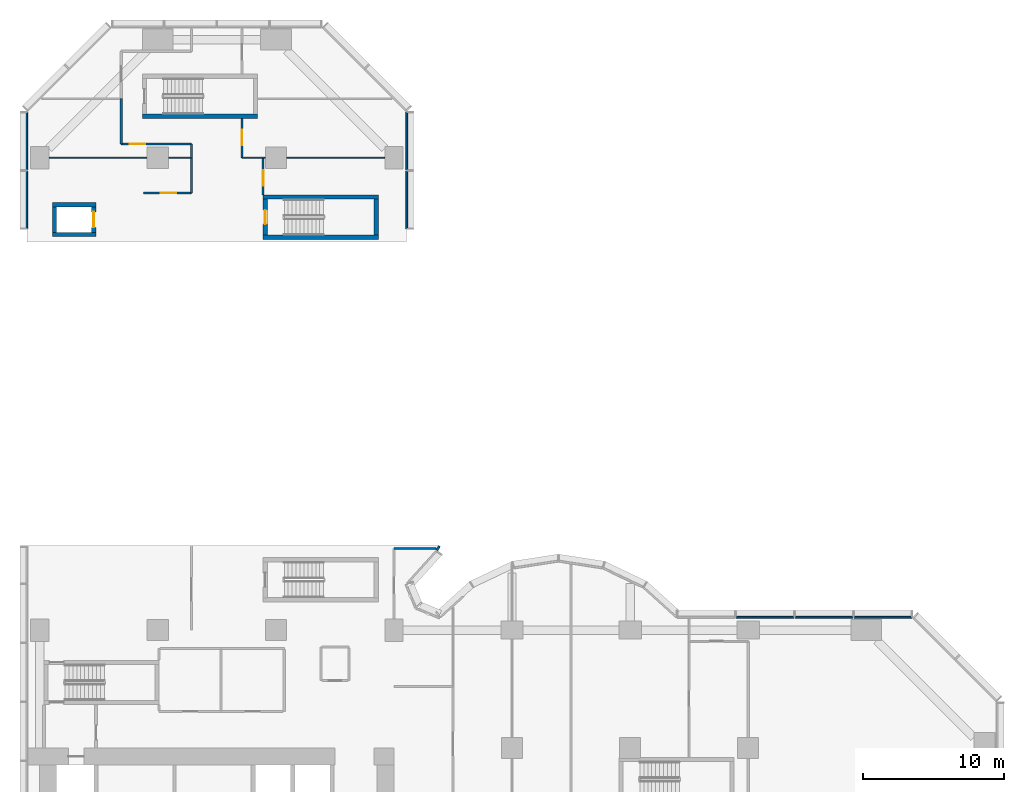
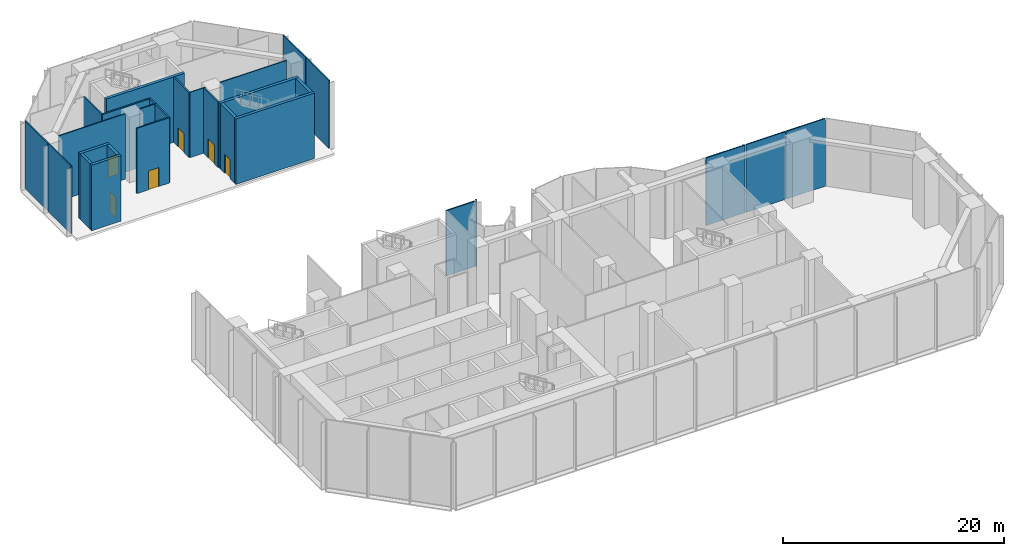
# One storey, part 10 of 16: 29 walls, 6 doors, 6 openings.
"""IFC4 building model written with IfcOpenShell, lengths in metres."""

from ifc_helpers import new_model, si_unit, direction, frame, frame_2d, origin, place, context, subcontext, project, spatial, polyline, rectangle, outline, extrude, material, layer, layer_set, type_object, element, fill, save


model = new_model("IFC4")

# Units and contexts
model_context = context("Model", 3, precision=1e-05, world=origin(), true_north=direction((0.0, 1.0)))
body_context = subcontext(model_context, "Body", "Model", "MODEL_VIEW")
ifc_project = project(units=[si_unit("LENGTHUNIT", "METRE"), si_unit("AREAUNIT", "SQUARE_METRE"), si_unit("VOLUMEUNIT", "CUBIC_METRE"), si_unit("PLANEANGLEUNIT", "RADIAN"), si_unit("MASSUNIT", "GRAM", prefix="KILO")], contexts=[model_context])

# Site, building, storey
site_placement = place(None, origin())
site = spatial("IfcSite", under=ifc_project, at=site_placement, CompositionType="ELEMENT")
building_placement = place(site_placement, origin())
building = spatial("IfcBuilding", under=site, at=building_placement, Name="Brevane Broadcast Tower", CompositionType="ELEMENT")
storey_placement = place(building_placement, frame((0.0, 0.0, 12.5)))
storey = spatial("IfcBuildingStorey", under=building, at=storey_placement, Name="L02", CompositionType="ELEMENT", Elevation=12.5)

# Walls
ifc_material_1 = material(Name="Concrete C80/95", Category="concrete")
ifc_layer_1 = layer(ifc_material_1, 0.300048828125)
ifc_layer_set_1 = layer_set([ifc_layer_1], Name="Core wall 300 mm C80/95")
wall_type_1 = type_object("IfcWallType", Name="Core wall 300 mm C80/95", PredefinedType="SHEAR", material=ifc_layer_set_1)
for number, where, z_axis, x_axis, name in (
    (1, (0.89990234375, 53.35009765625, 0.0), (0.0, 0.0, 1.0), (1.0, 0.0, 0.0), "L02 shaft wall PL1-S"),
    (2, (0.89990234375, 55.449951171875, 0.0), (0.0, 0.0, 1.0), (1.0, 0.0, 0.0), "L02 shaft wall PL1-N"),
):
    element("IfcWall", number, at=place(storey_placement, frame(where, z_axis=z_axis, x_axis=x_axis)), inside=storey, type_object=wall_type_1, Name=name, PredefinedType="SHEAR", context=body_context, shape_type="SweptSolid", body=[
        extrude(rectangle(XDim=3.10009765625, YDim=0.300048828125, at=frame_2d((1.550048828125, 0.0))), origin(), (0.0, 0.0, 1.0), 7.25),
    ])
wall_1_placement = place(storey_placement, frame((1.050048828125, 53.5, 0.0), z_axis=(0.0, 0.0, 1.0), x_axis=(0.0, 1.0, 0.0)))
element("IfcWall", 3, at=wall_1_placement, inside=storey, type_object=wall_type_1, Name="L02 shaft wall PL1-W", PredefinedType="SHEAR", context=body_context, shape_type="SweptSolid", body=[
    extrude(rectangle(XDim=1.800048828125, YDim=0.300048828125, at=frame_2d((0.89990234375, 0.0))), origin(), (0.0, 0.0, 1.0), 7.25),
])

# Wall, opening, door
wall_2_placement = place(storey_placement, frame((3.85009765625, 53.5, 0.0), z_axis=(0.0, 0.0, 1.0), x_axis=(0.0, 1.0, 0.0)))
wall_2 = element("IfcWall", 4, at=wall_2_placement, inside=storey, type_object=wall_type_1, Name="L02 shaft wall PL1-E", PredefinedType="SHEAR", context=body_context, shape_type="SweptSolid", body=[
    extrude(rectangle(XDim=1.800048828125, YDim=0.300048828125, at=frame_2d((0.89990234375, 0.0))), origin(), (0.0, 0.0, 1.0), 7.25),
])
opening_1_placement = place(wall_2_placement, frame((0.35009765625, 0.0, 0.0)))
opening_1 = element("IfcOpeningElement", 5, at=opening_1_placement, cuts=wall_2, Name="Opening LD", PredefinedType="OPENING", context=body_context, shape_type="SweptSolid", body=[
    extrude(rectangle(XDim=1.10009765625, YDim=2.300048828125, at=frame_2d((0.550048828125, 1.14990234375))), frame((0.0, 0.159912109375, 0.0), z_axis=(0.0, -1.0, 0.0), x_axis=(1.0, 0.0, 0.0)), (0.0, 0.0, 1.0), 0.320068359375),
])
ifc_material_2 = material(Name="Stainless steel", Category="steel")
door_type_1 = type_object("IfcDoorType", Name="Lift landing door", OperationType="SLIDING_TO_LEFT", PredefinedType="DOOR", material=ifc_material_2)
door_1_placement = place(opening_1_placement, origin())
door_1 = element("IfcDoor", 6, at=door_1_placement, inside=storey, type_object=door_type_1, Name="Landing door PL1 L02", OperationType="SLIDING_TO_LEFT", OverallHeight=2.300048828125, OverallWidth=1.10009765625, PredefinedType="DOOR", context=body_context, shape_type="SweptSolid", body=[
    extrude(rectangle(XDim=1.10009765625, YDim=2.300048828125, at=frame_2d((0.550048828125, 1.14990234375))), frame((0.0, 0.02490234375, 0.0), z_axis=(0.0, -1.0, 0.0), x_axis=(1.0, 0.0, 0.0)), (0.0, 0.0, 1.0), 0.050048828125),
])
fill(opening_1, door_1)

# Walls
for number, where, z_axis, x_axis, name in (
    (7, (15.89990234375, 53.14990234375, 0.0), (0.0, 0.0, 1.0), (1.0, 0.0, 0.0), "L02 stair wall ST-5-S"),
    (8, (15.89990234375, 56.0, 0.0), (0.0, 0.0, 1.0), (1.0, 0.0, 0.0), "L02 stair wall ST-5-N"),
):
    element("IfcWall", number, at=place(storey_placement, frame(where, z_axis=z_axis, x_axis=x_axis)), inside=storey, type_object=wall_type_1, Name=name, PredefinedType="SHEAR", context=body_context, shape_type="SweptSolid", body=[
        extrude(rectangle(XDim=8.2001953125, YDim=0.300048828125, at=frame_2d((4.10009765625, 0.0))), origin(), (0.0, 0.0, 1.0), 7.25),
    ])

# Wall, opening, door
wall_3_placement = place(storey_placement, frame((16.050048828125, 53.300048828125, 0.0), z_axis=(0.0, 0.0, 1.0), x_axis=(0.0, 1.0, 0.0)))
wall_3 = element("IfcWall", 9, at=wall_3_placement, inside=storey, type_object=wall_type_1, Name="L02 stair wall ST-5-W", PredefinedType="SHEAR", context=body_context, shape_type="SweptSolid", body=[
    extrude(rectangle(XDim=2.550048828125, YDim=0.300048828125, at=frame_2d((1.27490234375, 0.0))), origin(), (0.0, 0.0, 1.0), 7.25),
])
opening_2_placement = place(wall_3_placement, frame((0.77490234375, 0.0, 0.0)))
opening_2 = element("IfcOpeningElement", 10, at=opening_2_placement, cuts=wall_3, Name="Opening L02-K17", PredefinedType="OPENING", context=body_context, shape_type="SweptSolid", body=[
    extrude(rectangle(XDim=1.0, YDim=2.10009765625, at=frame_2d((0.5, 1.050048828125))), frame((0.0, 0.159912109375, 0.0), z_axis=(0.0, -1.0, 0.0), x_axis=(1.0, 0.0, 0.0)), (0.0, 0.0, 1.0), 0.320068359375),
])
ifc_material_3 = material(Name="Steel", Category="steel")
door_type_2 = type_object("IfcDoorType", Name="Stair door 1000 x 2100", OperationType="SINGLE_SWING_LEFT", PredefinedType="DOOR", material=ifc_material_3)
door_2_placement = place(opening_2_placement, origin())
door_2 = element("IfcDoor", 11, at=door_2_placement, inside=storey, type_object=door_type_2, Name="Door L02-K17", OperationType="SINGLE_SWING_LEFT", OverallHeight=2.10009765625, OverallWidth=1.0, PredefinedType="DOOR", context=body_context, shape_type="SweptSolid", body=[
    extrude(rectangle(XDim=1.0, YDim=2.10009765625, at=frame_2d((0.5, 1.050048828125))), frame((0.0, 0.02490234375, 0.0), z_axis=(0.0, -1.0, 0.0), x_axis=(1.0, 0.0, 0.0)), (0.0, 0.0, 1.0), 0.050048828125),
])
fill(opening_2, door_2)

# Walls
wall_4_placement = place(storey_placement, frame((23.949951171875, 53.300048828125, 0.0), z_axis=(0.0, 0.0, 1.0), x_axis=(0.0, 1.0, 0.0)))
element("IfcWall", 12, at=wall_4_placement, inside=storey, type_object=wall_type_1, Name="L02 stair wall ST-5-E", PredefinedType="SHEAR", context=body_context, shape_type="SweptSolid", body=[
    extrude(rectangle(XDim=2.550048828125, YDim=0.300048828125, at=frame_2d((1.27490234375, 0.0))), origin(), (0.0, 0.0, 1.0), 7.25),
])
wall_5_placement = place(storey_placement, frame((7.300048828125, 61.75, 0.0), z_axis=(0.0, 0.0, 1.0), x_axis=(1.0, 0.0, 0.0)))
element("IfcWall", 13, at=wall_5_placement, inside=storey, type_object=wall_type_1, Name="L02 stair wall ST-6-S", PredefinedType="SHEAR", context=body_context, shape_type="SweptSolid", body=[
    extrude(rectangle(XDim=8.199951171875, YDim=0.300048828125, at=frame_2d((4.10009765625, 0.0))), origin(), (0.0, 0.0, 1.0), 7.25),
])
ifc_material_4 = material(Name="Gypsum board partition")
ifc_layer_2 = layer(ifc_material_4, 0.10009765625)
ifc_layer_set_2 = layer_set([ifc_layer_2], Name="PARTITION 100 STUD")
wall_type_2 = type_object("IfcWallType", Name="PARTITION 100 STUD", PredefinedType="PARTITIONING", material=ifc_layer_set_2)
wall_6_placement = place(storey_placement, frame((0.669921875, 58.800048828125, 0.0), z_axis=(0.0, 0.0, 1.0), x_axis=(1.0, 0.0, 0.0)))
element("IfcWall", 14, at=wall_6_placement, inside=storey, type_object=wall_type_2, Name="Partition P2-038", PredefinedType="PARTITIONING", context=body_context, shape_type="SweptSolid", body=[
    extrude(rectangle(XDim=6.9599609375, YDim=0.10009765625, at=frame_2d((3.47998046875, 0.0))), origin(), (0.0, 0.0, 1.0), 7.22998046875),
])
for number, where, z_axis, x_axis, name in (
    (15, (9.169921875, 58.800048828125, 0.0), (0.0, 0.0, 1.0), (1.0, 0.0, 0.0), "Partition P2-039"),
    (16, (14.39990234375, 58.800048828125, 0.0), (0.0, 0.0, 1.0), (1.0, 0.0, 0.0), "Partition P2-042"),
):
    element("IfcWall", number, at=place(storey_placement, frame(where, z_axis=z_axis, x_axis=x_axis)), inside=storey, type_object=wall_type_2, Name=name, PredefinedType="PARTITIONING", context=body_context, shape_type="SweptSolid", body=[
        extrude(rectangle(XDim=1.630126953125, YDim=0.10009765625, at=frame_2d((0.81494140625, 0.0))), origin(), (0.0, 0.0, 1.0), 7.22998046875),
    ])
wall_7_placement = place(storey_placement, frame((17.570068359375, 58.800048828125, 0.0), z_axis=(0.0, 0.0, 1.0), x_axis=(1.0, 0.0, 0.0)))
element("IfcWall", 17, at=wall_7_placement, inside=storey, type_object=wall_type_2, Name="Partition P2-043", PredefinedType="PARTITIONING", context=body_context, shape_type="SweptSolid", body=[
    extrude(rectangle(XDim=6.9599609375, YDim=0.10009765625, at=frame_2d((3.47998046875, 0.0))), origin(), (0.0, 0.0, 1.0), 7.22998046875),
])
ifc_layer_3 = layer(ifc_material_4, 0.14990234375)
ifc_layer_set_3 = layer_set([ifc_layer_3], Name="PARTITION 150 EI 60")
wall_type_3 = type_object("IfcWallType", Name="PARTITION 150 EI 60", PredefinedType="PARTITIONING", material=ifc_layer_set_3)
wall_8_placement = place(storey_placement, frame((25.199951171875, 31.0, 0.0), z_axis=(0.0, 0.0, 1.0), x_axis=(1.0, 0.0, 0.0)))
element("IfcWall", 18, at=wall_8_placement, inside=storey, type_object=wall_type_3, Name="Partition P2-006", PredefinedType="PARTITIONING", context=body_context, shape_type="SweptSolid", body=[
    extrude(rectangle(XDim=2.994140625, YDim=0.14990234375, at=frame_2d((1.4970703125, 0.0))), origin(), (0.0, 0.0, 1.0), 7.22998046875),
])
wall_9_placement = place(storey_placement, frame((28.432373046875, 31.168212890625, 0.0), z_axis=(0.0, 0.0, 1.0), x_axis=(-0.541288698077, -0.840836812547, 0.0)))
element("IfcWall", 19, at=wall_9_placement, inside=storey, type_object=wall_type_3, Name="Partition P2-007", PredefinedType="PARTITIONING", context=body_context, shape_type="SweptSolid", body=[
    extrude(rectangle(XDim=0.3251953125, YDim=0.14990234375, at=frame_2d((0.16259765625, 0.0))), origin(), (0.0, 0.0, 1.0), 7.22998046875),
])
wall_10_placement = place(storey_placement, frame((10.800048828125, 56.300048828125, 0.0), z_axis=(0.0, 0.0, 1.0), x_axis=(0.0, 1.0, 0.0)))
element("IfcWall", 20, at=wall_10_placement, inside=storey, type_object=wall_type_3, Name="Partition P2-029", PredefinedType="PARTITIONING", context=body_context, shape_type="SweptSolid", body=[
    extrude(rectangle(XDim=2.5, YDim=0.14990234375, at=frame_2d((1.25, 0.0))), origin(), (0.0, 0.0, 1.0), 7.22998046875),
])

# Wall, opening, door
wall_11_placement = place(storey_placement, frame((15.89990234375, 58.800048828125, 0.0), z_axis=(0.0, 0.0, 1.0), x_axis=(0.0, -1.0, 0.0)))
wall_11 = element("IfcWall", 21, at=wall_11_placement, inside=storey, type_object=wall_type_3, Name="Partition P2-030", PredefinedType="PARTITIONING", context=body_context, shape_type="SweptSolid", body=[
    extrude(rectangle(XDim=2.650146484375, YDim=0.14990234375, at=frame_2d((1.3251953125, 0.0))), origin(), (0.0, 0.0, 1.0), 7.22998046875),
])
opening_3_placement = place(wall_11_placement, frame((0.89990234375, 0.0, 0.0)))
opening_3 = element("IfcOpeningElement", 22, at=opening_3_placement, cuts=wall_11, Name="Opening D03-014", PredefinedType="OPENING", context=body_context, shape_type="SweptSolid", body=[
    extrude(rectangle(XDim=1.10009765625, YDim=2.10009765625, at=frame_2d((0.550048828125, 1.050048828125))), frame((0.0, 0.0849609375, 0.0), z_axis=(0.0, -1.0, 0.0), x_axis=(1.0, 0.0, 0.0)), (0.0, 0.0, 1.0), 0.169921875),
])
ifc_material_5 = material(Name="Fire-rated timber door leaf", Category="wood")
door_type_3 = type_object("IfcDoorType", Name="DOOR SINGLE 1100 FD30S", OperationType="SINGLE_SWING_LEFT", PredefinedType="DOOR", material=ifc_material_5)
door_3_placement = place(opening_3_placement, origin())
door_3 = element("IfcDoor", 23, at=door_3_placement, inside=storey, type_object=door_type_3, Name="Door D03-014", OperationType="SINGLE_SWING_LEFT", OverallHeight=2.10009765625, OverallWidth=1.10009765625, PredefinedType="DOOR", context=body_context, shape_type="SweptSolid", body=[
    extrude(rectangle(XDim=1.10009765625, YDim=2.10009765625, at=frame_2d((0.550048828125, 1.050048828125))), frame((0.0, 0.02490234375, 0.0), z_axis=(0.0, -1.0, 0.0), x_axis=(1.0, 0.0, 0.0)), (0.0, 0.0, 1.0), 0.050048828125),
])
fill(opening_3, door_3)

wall_12_placement = place(storey_placement, frame((10.800048828125, 59.77490234375, 0.0), z_axis=(0.0, 0.0, 1.0), x_axis=(-1.0, 0.0, 0.0)))
wall_12 = element("IfcWall", 24, at=wall_12_placement, inside=storey, type_object=wall_type_3, Name="Partition P2-031", PredefinedType="PARTITIONING", context=body_context, shape_type="SweptSolid", body=[
    extrude(rectangle(XDim=5.0, YDim=0.14990234375, at=frame_2d((2.5, 0.0))), origin(), (0.0, 0.0, 1.0), 7.22998046875),
])
opening_4_placement = place(wall_12_placement, frame((3.300048828125, 0.0, 0.0)))
opening_4 = element("IfcOpeningElement", 25, at=opening_4_placement, cuts=wall_12, Name="Opening D03-012", PredefinedType="OPENING", context=body_context, shape_type="SweptSolid", body=[
    extrude(rectangle(XDim=1.10009765625, YDim=2.10009765625, at=frame_2d((0.550048828125, 1.050048828125))), frame((0.0, 0.0849609375, 0.0), z_axis=(0.0, -1.0, 0.0), x_axis=(1.0, 0.0, 0.0)), (0.0, 0.0, 1.0), 0.169921875),
])
door_4_placement = place(opening_4_placement, origin())
door_4 = element("IfcDoor", 26, at=door_4_placement, inside=storey, type_object=door_type_3, Name="Door D03-012", OperationType="SINGLE_SWING_LEFT", OverallHeight=2.10009765625, OverallWidth=1.10009765625, PredefinedType="DOOR", context=body_context, shape_type="SweptSolid", body=[
    extrude(rectangle(XDim=1.10009765625, YDim=2.10009765625, at=frame_2d((0.550048828125, 1.050048828125))), frame((0.0, 0.02490234375, 0.0), z_axis=(0.0, -1.0, 0.0), x_axis=(1.0, 0.0, 0.0)), (0.0, 0.0, 1.0), 0.050048828125),
])
fill(opening_4, door_4)

# Wall
wall_13_placement = place(storey_placement, frame((5.800048828125, 59.77490234375, 0.0), z_axis=(0.0, 0.0, 1.0), x_axis=(0.0, 1.0, 0.0)))
element("IfcWall", 27, at=wall_13_placement, inside=storey, type_object=wall_type_3, Name="Partition P2-032", PredefinedType="PARTITIONING", context=body_context, shape_type="SweptSolid", body=[
    extrude(rectangle(XDim=3.22509765625, YDim=0.14990234375, at=frame_2d((1.612548828125, 0.0))), origin(), (0.0, 0.0, 1.0), 7.22998046875),
])

# Wall, opening, door
wall_14_placement = place(storey_placement, frame((7.39990234375, 56.300048828125, 0.0), z_axis=(0.0, 0.0, 1.0), x_axis=(1.0, 0.0, 0.0)))
wall_14 = element("IfcWall", 28, at=wall_14_placement, inside=storey, type_object=wall_type_3, Name="Partition P2-035", PredefinedType="PARTITIONING", context=body_context, shape_type="SweptSolid", body=[
    extrude(rectangle(XDim=3.400146484375, YDim=0.14990234375, at=frame_2d((1.7001953125, 0.0))), origin(), (0.0, 0.0, 1.0), 7.22998046875),
])
opening_5_placement = place(wall_14_placement, frame((1.199951171875, 0.0, 0.0)))
opening_5 = element("IfcOpeningElement", 29, at=opening_5_placement, cuts=wall_14, Name="Opening D03-011", PredefinedType="OPENING", context=body_context, shape_type="SweptSolid", body=[
    extrude(rectangle(XDim=1.10009765625, YDim=2.10009765625, at=frame_2d((0.550048828125, 1.050048828125))), frame((0.0, 0.0849609375, 0.0), z_axis=(0.0, -1.0, 0.0), x_axis=(1.0, 0.0, 0.0)), (0.0, 0.0, 1.0), 0.169921875),
])
door_5_placement = place(opening_5_placement, origin())
door_5 = element("IfcDoor", 30, at=door_5_placement, inside=storey, type_object=door_type_3, Name="Door D03-011", OperationType="SINGLE_SWING_LEFT", OverallHeight=2.10009765625, OverallWidth=1.10009765625, PredefinedType="DOOR", context=body_context, shape_type="SweptSolid", body=[
    extrude(rectangle(XDim=1.10009765625, YDim=2.10009765625, at=frame_2d((0.550048828125, 1.050048828125))), frame((0.0, 0.02490234375, 0.0), z_axis=(0.0, -1.0, 0.0), x_axis=(1.0, 0.0, 0.0)), (0.0, 0.0, 1.0), 0.050048828125),
])
fill(opening_5, door_5)

# Wall
wall_15_placement = place(storey_placement, frame((10.800048828125, 59.77490234375, 0.0), z_axis=(0.0, 0.0, 1.0), x_axis=(0.0, -1.0, 0.0)))
element("IfcWall", 31, at=wall_15_placement, inside=storey, type_object=wall_type_3, Name="Partition P2-041", PredefinedType="PARTITIONING", context=body_context, shape_type="SweptSolid", body=[
    extrude(rectangle(XDim=0.974853515625, YDim=0.14990234375, at=frame_2d((0.4873046875, 0.0))), origin(), (0.0, 0.0, 1.0), 7.22998046875),
])

# Wall, opening, door
wall_16_placement = place(storey_placement, frame((14.39990234375, 61.60009765625, 0.0), z_axis=(0.0, 0.0, 1.0), x_axis=(0.0, -1.0, 0.0)))
wall_16 = element("IfcWall", 32, at=wall_16_placement, inside=storey, type_object=wall_type_3, Name="Partition P2-045", PredefinedType="PARTITIONING", context=body_context, shape_type="SweptSolid", body=[
    extrude(rectangle(XDim=2.800048828125, YDim=0.14990234375, at=frame_2d((1.39990234375, 0.0))), origin(), (0.0, 0.0, 1.0), 7.22998046875),
])
opening_6_placement = place(wall_16_placement, frame((0.800048828125, 0.0, 0.0)))
opening_6 = element("IfcOpeningElement", 33, at=opening_6_placement, cuts=wall_16, Name="Opening D03-015", PredefinedType="OPENING", context=body_context, shape_type="SweptSolid", body=[
    extrude(rectangle(XDim=1.10009765625, YDim=2.10009765625, at=frame_2d((0.550048828125, 1.050048828125))), frame((0.0, 0.0849609375, 0.0), z_axis=(0.0, -1.0, 0.0), x_axis=(1.0, 0.0, 0.0)), (0.0, 0.0, 1.0), 0.169921875),
])
door_6_placement = place(opening_6_placement, origin())
door_6 = element("IfcDoor", 34, at=door_6_placement, inside=storey, type_object=door_type_3, Name="Door D03-015", OperationType="SINGLE_SWING_RIGHT", OverallHeight=2.10009765625, OverallWidth=1.10009765625, PredefinedType="DOOR", context=body_context, shape_type="SweptSolid", body=[
    extrude(rectangle(XDim=1.10009765625, YDim=2.10009765625, at=frame_2d((0.550048828125, 1.050048828125))), frame((0.0, 0.02490234375, 0.0), z_axis=(0.0, -1.0, 0.0), x_axis=(1.0, 0.0, 0.0)), (0.0, 0.0, 1.0), 0.050048828125),
])
fill(opening_6, door_6)

# Walls
ifc_material_6 = material(Name="Precast concrete C40/50", Category="concrete")
ifc_layer_4 = layer(ifc_material_6, 0.1201171875)
ifc_layer_set_4 = layer_set([ifc_layer_4], Name="Podium precast cladding wall 120 C40/50")
wall_type_4 = type_object("IfcWallType", Name="Podium precast cladding wall 120 C40/50", PredefinedType="SOLIDWALL", material=ifc_layer_set_4)
wall_17_placement = place(storey_placement, origin())
element("IfcWall", 35, at=wall_17_placement, inside=storey, type_object=wall_type_4, Name="Podium precast cladding wall", PredefinedType="SOLIDWALL", context=body_context, shape_type="SweptSolid", body=[
    extrude(outline(polyline([(57.945068359375, 26.169921875), (57.945068359375, 26.050048828125), (62.054931640625, 26.050048828125), (62.054931640625, 26.169921875), (57.945068359375, 26.169921875)])), origin(), (0.0, 0.0, 1.0), 7.5),
])
wall_18_placement = place(storey_placement, origin())
element("IfcWall", 36, at=wall_18_placement, inside=storey, type_object=wall_type_4, Name="Podium precast cladding wall", PredefinedType="SOLIDWALL", context=body_context, shape_type="SweptSolid", body=[
    extrude(outline(polyline([(53.7451171875, 26.169921875), (53.7451171875, 26.050048828125), (57.85498046875, 26.050048828125), (57.85498046875, 26.169921875), (53.7451171875, 26.169921875)])), origin(), (0.0, 0.0, 1.0), 7.5),
])
wall_19_placement = place(storey_placement, origin())
element("IfcWall", 37, at=wall_19_placement, inside=storey, type_object=wall_type_4, Name="Podium precast cladding wall", PredefinedType="SOLIDWALL", context=body_context, shape_type="SweptSolid", body=[
    extrude(outline(polyline([(49.544921875, 26.169921875), (49.544921875, 26.050048828125), (53.655029296875, 26.050048828125), (53.655029296875, 26.169921875), (49.544921875, 26.169921875)])), origin(), (0.0, 0.0, 1.0), 7.5),
])
wall_20_placement = place(storey_placement, origin())
element("IfcWall", 38, at=wall_20_placement, inside=storey, type_object=wall_type_4, Name="Podium precast cladding wall", PredefinedType="SOLIDWALL", context=body_context, shape_type="SweptSolid", body=[
    extrude(outline(polyline([(26.169921875, 57.85498046875), (26.050048828125, 57.85498046875), (26.050048828125, 53.7451171875), (26.169921875, 53.7451171875), (26.169921875, 57.85498046875)])), origin(), (0.0, 0.0, 1.0), 7.5),
])
wall_21_placement = place(storey_placement, origin())
element("IfcWall", 39, at=wall_21_placement, inside=storey, type_object=wall_type_4, Name="Podium precast cladding wall", PredefinedType="SOLIDWALL", context=body_context, shape_type="SweptSolid", body=[
    extrude(outline(polyline([(26.169921875, 62.054931640625), (26.050048828125, 62.054931640625), (26.050048828125, 57.945068359375), (26.169921875, 57.945068359375), (26.169921875, 62.054931640625)])), origin(), (0.0, 0.0, 1.0), 7.5),
])
wall_22_placement = place(storey_placement, origin())
element("IfcWall", 40, at=wall_22_placement, inside=storey, type_object=wall_type_4, Name="Podium precast cladding wall", PredefinedType="SOLIDWALL", context=body_context, shape_type="SweptSolid", body=[
    extrude(outline(polyline([(-0.969970703125, 57.945068359375), (-0.85009765625, 57.945068359375), (-0.85009765625, 62.054931640625), (-0.969970703125, 62.054931640625), (-0.969970703125, 57.945068359375)])), origin(), (0.0, 0.0, 1.0), 7.5),
])
wall_23_placement = place(storey_placement, origin())
element("IfcWall", 41, at=wall_23_placement, inside=storey, type_object=wall_type_4, Name="Podium precast cladding wall", PredefinedType="SOLIDWALL", context=body_context, shape_type="SweptSolid", body=[
    extrude(outline(polyline([(-0.969970703125, 53.7451171875), (-0.85009765625, 53.7451171875), (-0.85009765625, 57.85498046875), (-0.969970703125, 57.85498046875), (-0.969970703125, 53.7451171875)])), origin(), (0.0, 0.0, 1.0), 7.5),
])

save(model, "model.ifc")
